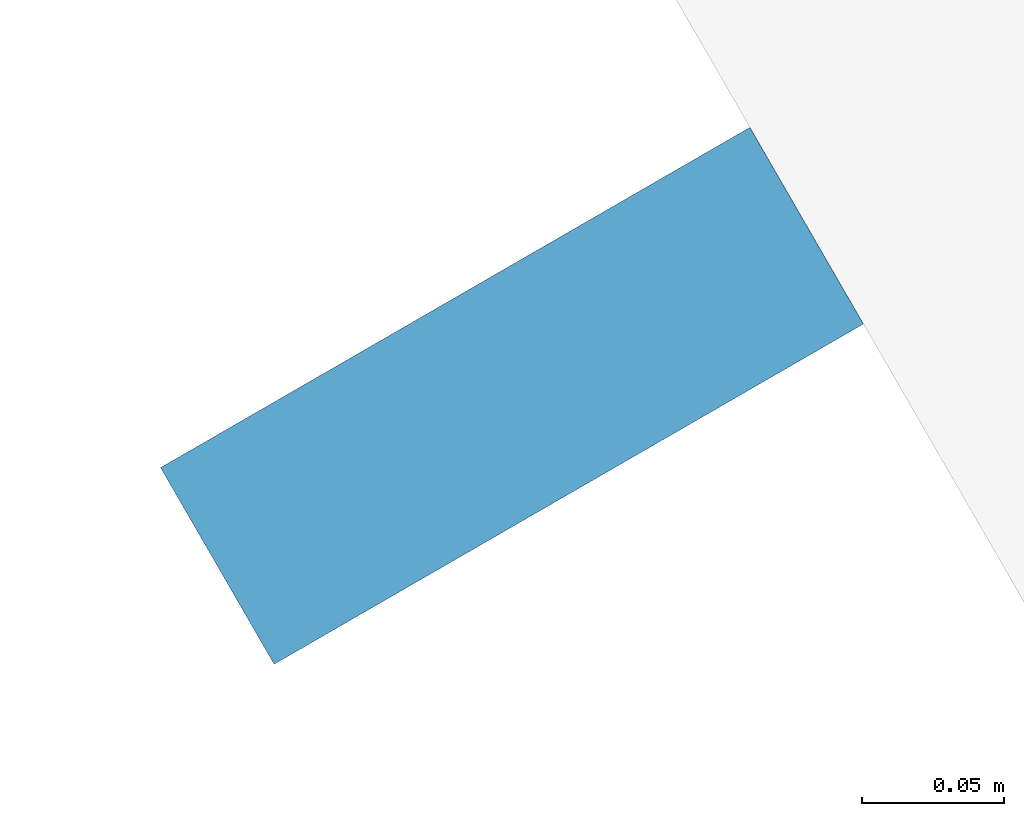
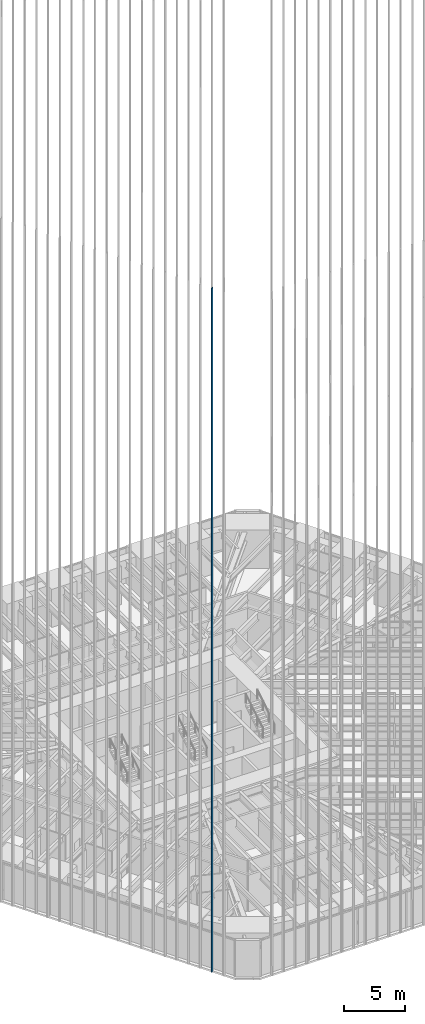
# One storey, part 18 of 256: 1 member, 1 element without a shape of its own.
"""IFC4 building model written with IfcOpenShell, lengths in metres."""

from ifc_helpers import new_model, si_unit, direction, frame, origin, origin_2d, place, context, subcontext, project, spatial, rectangle, extrude, material, material_profile, profile_set, type_object, element, aggregate, save


model = new_model("IFC4")

# Units and contexts
model_context = context("Model", 3, precision=1e-05, world=origin(), true_north=direction((0.0, 1.0)))
body_context = subcontext(model_context, "Body", "Model", "MODEL_VIEW")
ifc_project = project(units=[si_unit("LENGTHUNIT", "METRE"), si_unit("AREAUNIT", "SQUARE_METRE"), si_unit("VOLUMEUNIT", "CUBIC_METRE"), si_unit("PLANEANGLEUNIT", "RADIAN"), si_unit("MASSUNIT", "GRAM", prefix="KILO")], contexts=[model_context])

# Site, building, storey
site_placement = place(None, origin())
site = spatial("IfcSite", under=ifc_project, at=site_placement, CompositionType="ELEMENT")
building_placement = place(site_placement, origin())
building = spatial("IfcBuilding", under=site, at=building_placement, Name="Sandreach Pilgrim Tower", CompositionType="ELEMENT")
storey_placement = place(building_placement, frame((0.0, 0.0, 23.0)))
storey = spatial("IfcBuildingStorey", under=building, at=storey_placement, Name="L04", CompositionType="ELEMENT", Elevation=23.0)

# Curtain wall, member
ifc_material_1 = material(Name="Aluminium framed curtain wall", Category="aluminium")
curtain_wall_type = type_object("IfcCurtainWallType", Name="Hostel tower curtain wall", PredefinedType="NOTDEFINED", material=ifc_material_1)
curtain_wall_placement = place(storey_placement, origin())
curtain_wall = element("IfcCurtainWall", 1, at=curtain_wall_placement, inside=storey, type_object=curtain_wall_type, Name="CW-1 L04 SW", PredefinedType="NOTDEFINED")
ifc_material_2 = material(Name="Extruded terracotta on aluminium core", Category="masonry")
ifc_material_profile = material_profile(ifc_material_2, rectangle(XDim=0.080078125, YDim=0.239990234375, at=origin_2d()), Name="TBW 80X240")
ifc_profile_set = profile_set([ifc_material_profile], Name="Extruded terracotta on aluminium core")
member_type = type_object("IfcMemberType", Name="Terracotta baguette west", PredefinedType="USERDEFINED", material=ifc_profile_set)
member_placement = place(storey_placement, frame((-12.2529296875, -27.5146484375, 0.0), z_axis=(0.0, 0.0, 1.0), x_axis=(-0.5, 0.866025403784, 0.0)))
member = element("IfcMember", 2, at=member_placement, type_object=member_type, Name="Baguette Z1 SW02", ObjectType="BAGUETTE", PredefinedType="USERDEFINED", context=body_context, shape_type="SweptSolid", body=[
    extrude(rectangle(XDim=0.080078125, YDim=0.239990234375, at=origin_2d()), origin(), (0.0, 0.0, 1.0), 68.239990234375),
])
aggregate(curtain_wall, [member])

save(model, "model.ifc")
